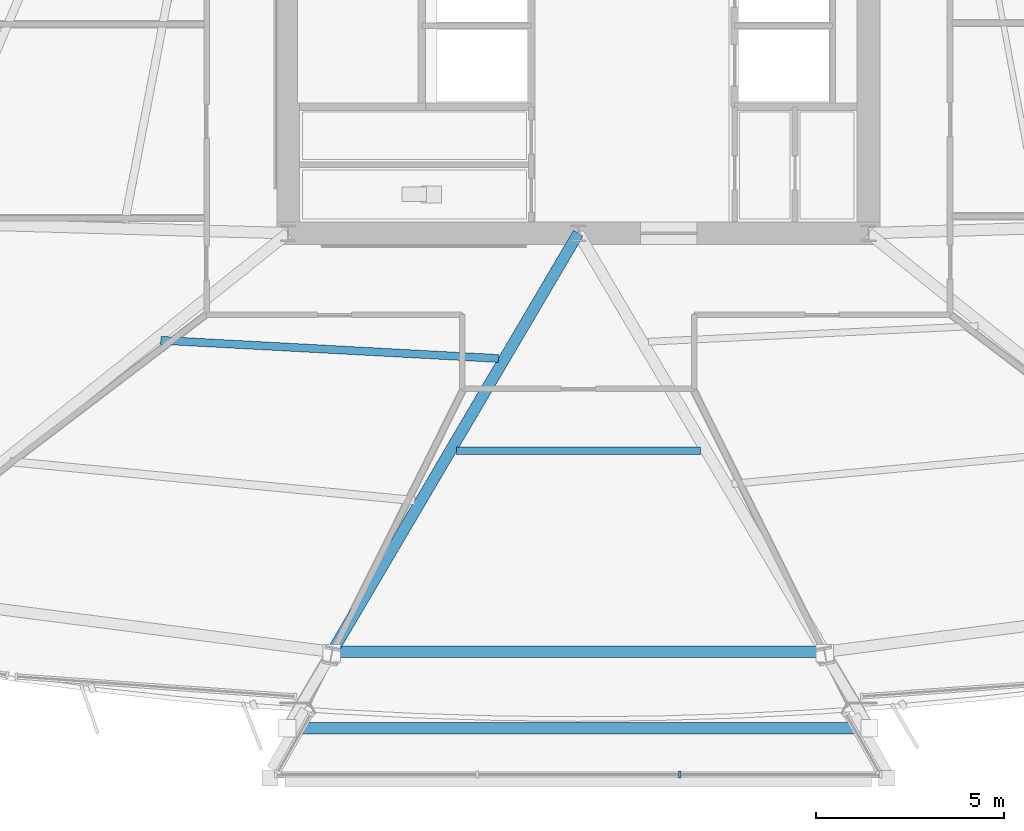
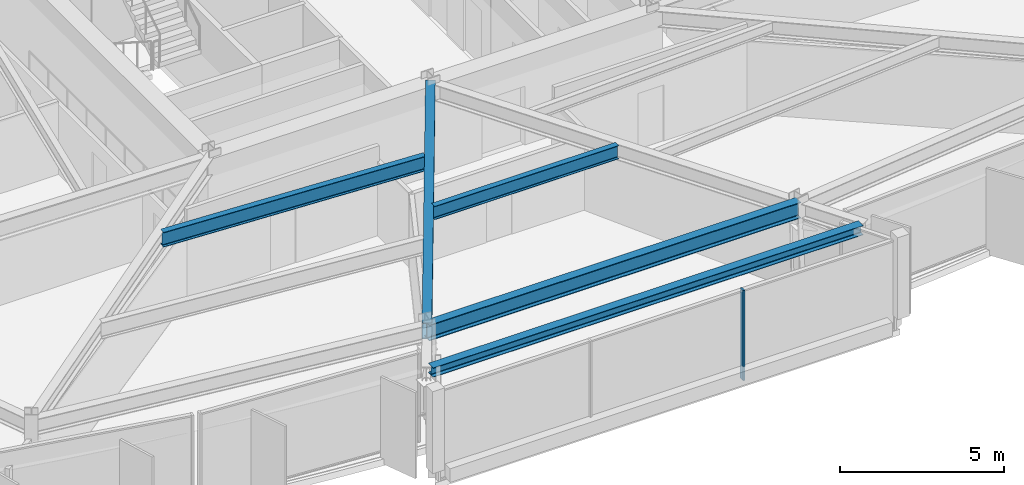
# One storey, part 3 of 16: 5 beams, 1 member, 1 element without a shape of its own.
"""IFC4 building model written with IfcOpenShell, lengths in metres."""

from ifc_helpers import new_model, si_unit, direction, frame, origin, origin_2d, place, context, subcontext, project, spatial, rectangle, i_section, extrude, material, material_profile, profile_set, type_object, element, aggregate, save


model = new_model("IFC4")

# Units and contexts
model_context = context("Model", 3, precision=1e-05, world=origin(), true_north=direction((0.0, 1.0)))
body_context = subcontext(model_context, "Body", "Model", "MODEL_VIEW")
ifc_project = project(units=[si_unit("LENGTHUNIT", "METRE"), si_unit("AREAUNIT", "SQUARE_METRE"), si_unit("VOLUMEUNIT", "CUBIC_METRE"), si_unit("PLANEANGLEUNIT", "RADIAN"), si_unit("MASSUNIT", "GRAM", prefix="KILO")], contexts=[model_context])

# Site, building, storey
site_placement = place(None, origin())
site = spatial("IfcSite", under=ifc_project, at=site_placement, CompositionType="ELEMENT")
building_placement = place(site_placement, origin())
building = spatial("IfcBuilding", under=site, at=building_placement, Name="Savorim Split Tower", CompositionType="ELEMENT")
storey_placement = place(building_placement, frame((0.0, 0.0, 66.0)))
storey = spatial("IfcBuildingStorey", under=building, at=storey_placement, Name="L17", CompositionType="ELEMENT", Elevation=66.0)

# Beams
ifc_material_1 = material(Name="Steel S355", Category="steel")
ifc_material_profile_1 = material_profile(ifc_material_1, i_section(OverallWidth=0.199951171875, OverallDepth=0.5, WebThickness=0.01025390625, FlangeThickness=0.01611328125, FilletRadius=0.02099609375, at=origin_2d()), Name="IPE 500")
ifc_profile_set_1 = profile_set([ifc_material_profile_1], Name="Steel S355")
beam_type_1 = type_object("IfcBeamType", Name="BM-JST-IPE500", PredefinedType="JOIST", material=ifc_profile_set_1)
beam_1_placement = place(storey_placement, frame((-3.2373046875, -15.176513671875, 3.10009765625), z_axis=(1.0, 0.0, 0.0), x_axis=(0.0, 1.0, 0.0)))
element("IfcBeam", 1, at=beam_1_placement, inside=storey, type_object=beam_type_1, Name="L17 Secondary Floor Joist JS-03", PredefinedType="JOIST", context=body_context, shape_type="SweptSolid", body=[
    extrude(i_section(OverallWidth=0.199951171875, OverallDepth=0.5, WebThickness=0.01025390625, FlangeThickness=0.01611328125, FilletRadius=0.02099609375, at=origin_2d()), origin(), (0.0, 0.0, 1.0), 6.474609375),
])
ifc_material_profile_2 = material_profile(ifc_material_1, i_section(OverallWidth=0.2099609375, OverallDepth=0.550048828125, WebThickness=0.010986328125, FlangeThickness=0.01708984375, FilletRadius=0.02392578125, at=origin_2d()), Name="IPE 550")
ifc_profile_set_2 = profile_set([ifc_material_profile_2], Name="Steel S355")
beam_type_2 = type_object("IfcBeamType", Name="BM-JST-IPE550", PredefinedType="JOIST", material=ifc_profile_set_2)
beam_2_placement = place(storey_placement, frame((-11.078369140625, -12.241943359375, 3.074951171875), z_axis=(0.99855465429, -0.053745719797, 0.0), x_axis=(0.053745719797, 0.99855465429, 0.0)))
element("IfcBeam", 2, at=beam_2_placement, inside=storey, type_object=beam_type_2, Name="L17 Secondary Floor Joist JS-02", PredefinedType="JOIST", context=body_context, shape_type="SweptSolid", body=[
    extrude(i_section(OverallWidth=0.2099609375, OverallDepth=0.550048828125, WebThickness=0.010986328125, FlangeThickness=0.01708984375, FilletRadius=0.02392578125, at=origin_2d()), origin(), (0.0, 0.0, 1.0), 8.971435546875),
])
ifc_material_profile_3 = material_profile(ifc_material_1, i_section(OverallWidth=0.300048828125, OverallDepth=0.60009765625, WebThickness=0.015380859375, FlangeThickness=0.030029296875, FilletRadius=0.027099609375, at=origin_2d()), Name="HEB 600")
ifc_profile_set_3 = profile_set([ifc_material_profile_3], Name="Steel S355")
beam_type_3 = type_object("IfcBeamType", Name="BM-PRI-HEB600", PredefinedType="BEAM", material=ifc_profile_set_3)
beam_3_placement = place(storey_placement, frame((-6.533203125, -20.508544921875, 3.050048828125), z_axis=(0.506945614235, 0.861978041604, 0.0), x_axis=(-0.861978041604, 0.506945614235, 0.0)))
element("IfcBeam", 3, at=beam_3_placement, inside=storey, type_object=beam_type_3, Name="L17 Primary Floor Girder RG-02", PredefinedType="BEAM", context=body_context, shape_type="SweptSolid", body=[
    extrude(i_section(OverallWidth=0.300048828125, OverallDepth=0.60009765625, WebThickness=0.015380859375, FlangeThickness=0.030029296875, FilletRadius=0.027099609375, at=origin_2d()), origin(), (0.0, 0.0, 1.0), 12.887451171875),
])
ifc_material_profile_4 = material_profile(ifc_material_1, i_section(OverallWidth=0.300048828125, OverallDepth=0.35009765625, WebThickness=0.010009765625, FlangeThickness=0.017578125, FilletRadius=0.027099609375, at=origin_2d()), Name="HEA 360")
ifc_profile_set_4 = profile_set([ifc_material_profile_4], Name="Steel S355")
beam_type_4 = type_object("IfcBeamType", Name="BM-SPN-HEA360", PredefinedType="SPANDREL", material=ifc_profile_set_4)
beam_4_placement = place(storey_placement, frame((-7.564697265625, -22.5341796875, 3.175048828125), z_axis=(1.0, 0.0, 0.0), x_axis=(0.0, 1.0, 0.0)))
element("IfcBeam", 4, at=beam_4_placement, inside=storey, type_object=beam_type_4, Name="L17 Cantilevered Lounge Front Edge Beam", PredefinedType="SPANDREL", context=body_context, shape_type="SweptSolid", body=[
    extrude(i_section(OverallWidth=0.300048828125, OverallDepth=0.35009765625, WebThickness=0.010009765625, FlangeThickness=0.017578125, FilletRadius=0.027099609375, at=origin_2d()), origin(), (0.0, 0.0, 1.0), 15.12939453125),
])
ifc_material_profile_5 = material_profile(ifc_material_1, i_section(OverallWidth=0.300048828125, OverallDepth=0.590087890625, WebThickness=0.012939453125, FlangeThickness=0.02490234375, FilletRadius=0.027099609375, at=origin_2d()), Name="HEA 600")
ifc_profile_set_5 = profile_set([ifc_material_profile_5], Name="Steel S355")
beam_type_5 = type_object("IfcBeamType", Name="BM-SPN-HEA600", PredefinedType="SPANDREL", material=ifc_profile_set_5)
beam_5_placement = place(storey_placement, frame((-6.533203125, -20.508544921875, 3.054931640625), z_axis=(1.0, 0.0, 0.0), x_axis=(0.0, 1.0, 0.0)))
element("IfcBeam", 5, at=beam_5_placement, inside=storey, type_object=beam_type_5, Name="L17 Perimeter Spandrel Beam 2", PredefinedType="SPANDREL", context=body_context, shape_type="SweptSolid", body=[
    extrude(i_section(OverallWidth=0.300048828125, OverallDepth=0.590087890625, WebThickness=0.012939453125, FlangeThickness=0.02490234375, FilletRadius=0.027099609375, at=origin_2d()), origin(), (0.0, 0.0, 1.0), 13.06640625),
])

# Curtain wall, member
ifc_material_2 = material(Name="Dark Ceramic-Fritted Insulated Glass", Category="glass")
curtain_wall_type = type_object("IfcCurtainWallType", Name="CW-BAY-LOUNGE", PredefinedType="NOTDEFINED", material=ifc_material_2)
curtain_wall_placement = place(storey_placement, origin())
curtain_wall = element("IfcCurtainWall", 6, at=curtain_wall_placement, inside=storey, type_object=curtain_wall_type, Name="L17 Curtain Wall CW-L17-BAYF", PredefinedType="NOTDEFINED")
ifc_material_3 = material(Name="Charcoal Anodised Aluminium", Category="aluminium")
ifc_material_profile_6 = material_profile(ifc_material_3, rectangle(XDim=0.179931640625, YDim=0.06494140625, at=origin_2d()), Name="ALU-M 180x65")
ifc_profile_set_6 = profile_set([ifc_material_profile_6], Name="Charcoal Anodised Aluminium")
member_type = type_object("IfcMemberType", Name="CWM-180x65", PredefinedType="MULLION", material=ifc_profile_set_6)
member_placement = place(storey_placement, frame((2.685791015625, -23.759765625, 0.0), z_axis=(0.0, 0.0, 1.0), x_axis=(0.0, 1.0, 0.0)))
member = element("IfcMember", 7, at=member_placement, type_object=member_type, Name="CW-04 mullion 3", PredefinedType="MULLION", context=body_context, shape_type="SweptSolid", body=[
    extrude(rectangle(XDim=0.179931640625, YDim=0.06494140625, at=origin_2d()), origin(), (0.0, 0.0, 1.0), 3.35009765625),
])
aggregate(curtain_wall, [member])

save(model, "model.ifc")
